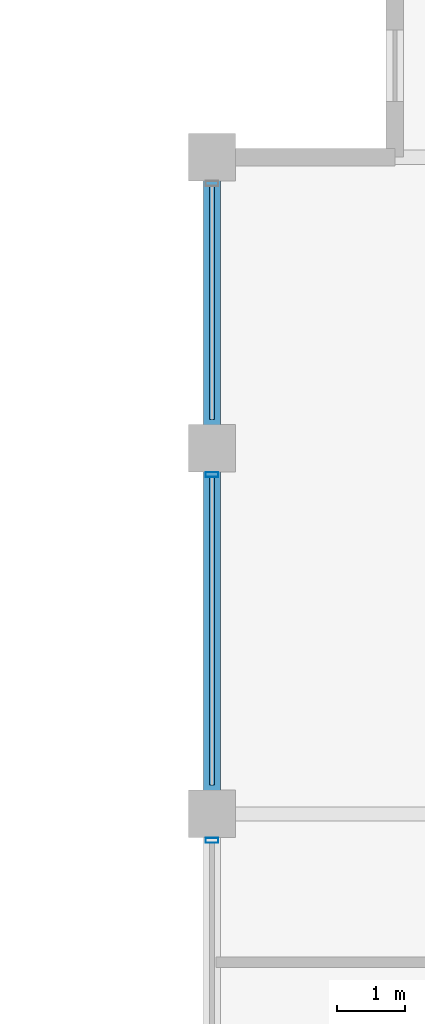
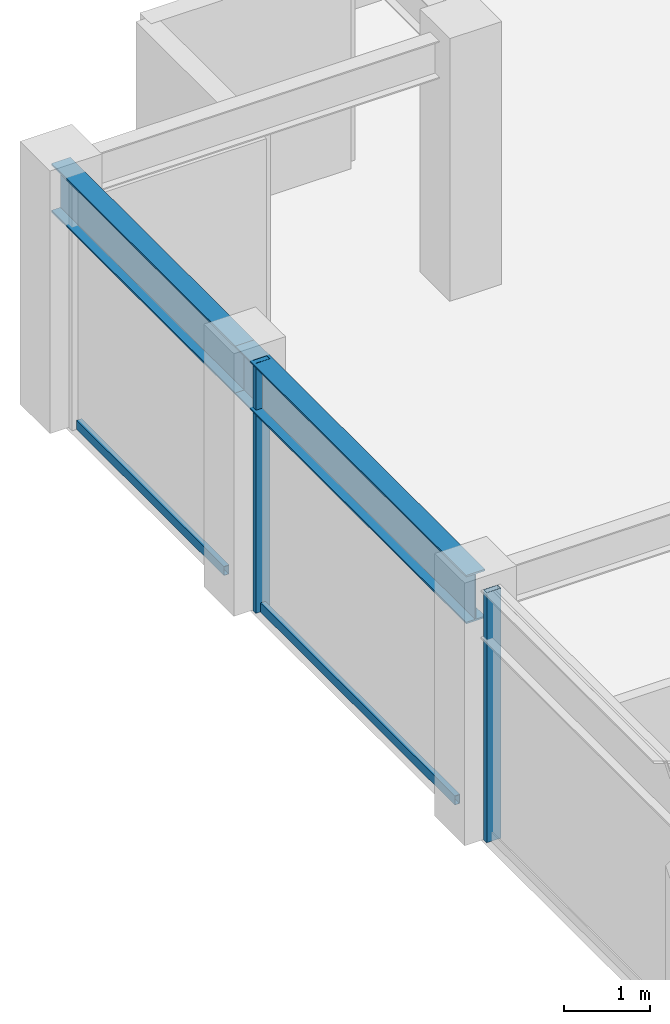
# One storey, part 12 of 29: 4 members, 2 beams, 1 element without a shape of its own.
"""IFC4 building model written with IfcOpenShell, lengths in metres."""

from ifc_helpers import new_model, si_unit, direction, frame, origin, origin_2d, place, context, subcontext, project, spatial, hollow_rectangle, i_section, extrude, material, layer, layer_set, material_profile, profile_set, type_object, element, aggregate, save


model = new_model("IFC4")

# Units and contexts
model_context = context("Model", 3, precision=1e-05, world=origin(), true_north=direction((0.0, 1.0)))
body_context = subcontext(model_context, "Body", "Model", "MODEL_VIEW")
ifc_project = project(units=[si_unit("LENGTHUNIT", "METRE"), si_unit("AREAUNIT", "SQUARE_METRE"), si_unit("VOLUMEUNIT", "CUBIC_METRE"), si_unit("PLANEANGLEUNIT", "RADIAN"), si_unit("MASSUNIT", "GRAM", prefix="KILO")], contexts=[model_context])

# Site, building, storey
site_placement = place(None, origin())
site = spatial("IfcSite", under=ifc_project, at=site_placement, CompositionType="ELEMENT")
building_placement = place(site_placement, origin())
building = spatial("IfcBuilding", under=site, at=building_placement, Name="Surkhivell Harbour Commons", CompositionType="ELEMENT")
storey_placement = place(building_placement, frame((0.0, 0.0, 326.25)))
storey = spatial("IfcBuildingStorey", under=building, at=storey_placement, Name="L85", CompositionType="ELEMENT", Elevation=326.25)

# Beams
ifc_material_1 = material(Name="Steel S355", Category="steel")
ifc_material_profile_1 = material_profile(ifc_material_1, i_section(OverallWidth=0.256103515625, OverallDepth=0.693115234375, WebThickness=0.014404296875, FlangeThickness=0.023681640625, at=origin_2d()), Name="UB686x254x170")
ifc_profile_set_1 = profile_set([ifc_material_profile_1], Name="Steel S355")
beam_type = type_object("IfcBeamType", Name="BM-SPN-686", PredefinedType="SPANDREL", material=ifc_profile_set_1)
beam_1_placement = place(storey_placement, frame((-27.0, 10.800048828125, 3.223388671875), z_axis=(0.0, 1.0, 0.0), x_axis=(-1.0, 0.0, 0.0)))
element("IfcBeam", 1, at=beam_1_placement, inside=storey, type_object=beam_type, Name="L85 Tube Spandrel (-27.0,10.8)", PredefinedType="SPANDREL", context=body_context, shape_type="SweptSolid", body=[
    extrude(i_section(OverallWidth=0.256103515625, OverallDepth=0.693115234375, WebThickness=0.014404296875, FlangeThickness=0.023681640625, at=origin_2d()), origin(), (0.0, 0.0, 1.0), 5.39990234375),
])
beam_2_placement = place(storey_placement, frame((-27.0, 16.199951171875, 3.223388671875), z_axis=(0.0, 1.0, 0.0), x_axis=(-1.0, 0.0, 0.0)))
element("IfcBeam", 2, at=beam_2_placement, inside=storey, type_object=beam_type, Name="L85 Tube Spandrel (-27.0,16.2)", PredefinedType="SPANDREL", context=body_context, shape_type="SweptSolid", body=[
    extrude(i_section(OverallWidth=0.256103515625, OverallDepth=0.693115234375, WebThickness=0.014404296875, FlangeThickness=0.023681640625, at=origin_2d()), origin(), (0.0, 0.0, 1.0), 4.300048828125),
])

# Curtain wall, members
ifc_material_2 = material(Name="Anodised pale-metal aluminium and insulated glazing", Category="aluminium")
ifc_layer = layer(ifc_material_2, 0.175048828125)
ifc_layer_set = layer_set([ifc_layer], Name="Anodised pale-metal aluminium and insulated glazing")
curtain_wall_type = type_object("IfcCurtainWallType", Name="CW-SYS-Z4", PredefinedType="NOTDEFINED", material=ifc_layer_set)
curtain_wall_placement = place(storey_placement, origin())
curtain_wall = element("IfcCurtainWall", 3, at=curtain_wall_placement, inside=storey, type_object=curtain_wall_type, Name="L85 Curtain Wall CW-L85-E12S1", PredefinedType="NOTDEFINED")
ifc_material_3 = material(Name="Anodised pale-metal aluminium alloy 6063-T6", Category="aluminium")
ifc_material_profile_2 = material_profile(ifc_material_3, hollow_rectangle(XDim=0.074951171875, YDim=0.18994140625, WallThickness=0.00390625, at=origin_2d()), Name="ALU-MULL-75x190")
ifc_profile_set_2 = profile_set([ifc_material_profile_2], Name="Anodised pale-metal aluminium alloy 6063-T6")
member_type_1 = type_object("IfcMemberType", Name="CWM-190", PredefinedType="MULLION", material=ifc_profile_set_2)
member_1_placement = place(storey_placement, frame((-27.0, 15.810546875, 0.0), z_axis=(0.0, 0.0, 1.0), x_axis=(0.0, -1.0, 0.0)))
member_1 = element("IfcMember", 4, at=member_1_placement, type_object=member_type_1, Name="CW-Z4 mullion 2", PredefinedType="MULLION", context=body_context, shape_type="SweptSolid", body=[
    extrude(hollow_rectangle(XDim=0.074951171875, YDim=0.18994140625, WallThickness=0.00390625, at=origin_2d()), origin(), (0.0, 0.0, 1.0), 3.570068359375),
])
member_2_placement = place(storey_placement, frame((-27.0, 10.410400390625, 0.0), z_axis=(0.0, 0.0, 1.0), x_axis=(0.0, -1.0, 0.0)))
member_2 = element("IfcMember", 5, at=member_2_placement, type_object=member_type_1, Name="CW-Z4 mullion 3", PredefinedType="MULLION", context=body_context, shape_type="SweptSolid", body=[
    extrude(hollow_rectangle(XDim=0.074951171875, YDim=0.18994140625, WallThickness=0.00390625, at=origin_2d()), origin(), (0.0, 0.0, 1.0), 3.570068359375),
])
ifc_material_4 = material(Name="Champagne anodised aluminium alloy 6063-T6", Category="aluminium")
ifc_material_profile_3 = material_profile(ifc_material_4, hollow_rectangle(XDim=0.070068359375, YDim=0.1298828125, WallThickness=0.00341796875, at=origin_2d()), Name="ALU-TRAN-70x130")
ifc_profile_set_3 = profile_set([ifc_material_profile_3], Name="Champagne anodised aluminium alloy 6063-T6")
member_type_2 = type_object("IfcMemberType", Name="CWT-130", PredefinedType="USERDEFINED", material=ifc_profile_set_3)
member_3_placement = place(storey_placement, frame((-27.0, 20.072998046875, 0.06494140625), z_axis=(0.0, -1.0, 0.0), x_axis=(1.0, 0.0, 0.0)))
member_3 = element("IfcMember", 6, at=member_3_placement, type_object=member_type_2, Name="CW-Z4 transom 1.1", ObjectType="TRANSOM", PredefinedType="USERDEFINED", context=body_context, shape_type="SweptSolid", body=[
    extrude(hollow_rectangle(XDim=0.070068359375, YDim=0.1298828125, WallThickness=0.00341796875, at=origin_2d()), origin(), (0.0, 0.0, 1.0), 3.446044921875),
])
member_4_placement = place(storey_placement, frame((-27.0, 15.77294921875, 0.06494140625), z_axis=(0.0, -1.0, 0.0), x_axis=(1.0, 0.0, 0.0)))
member_4 = element("IfcMember", 7, at=member_4_placement, type_object=member_type_2, Name="CW-Z4 transom 2.1", ObjectType="TRANSOM", PredefinedType="USERDEFINED", context=body_context, shape_type="SweptSolid", body=[
    extrude(hollow_rectangle(XDim=0.070068359375, YDim=0.1298828125, WallThickness=0.00341796875, at=origin_2d()), origin(), (0.0, 0.0, 1.0), 4.5458984375),
])
aggregate(curtain_wall, [member_3, member_1, member_4, member_2])

save(model, "model.ifc")
